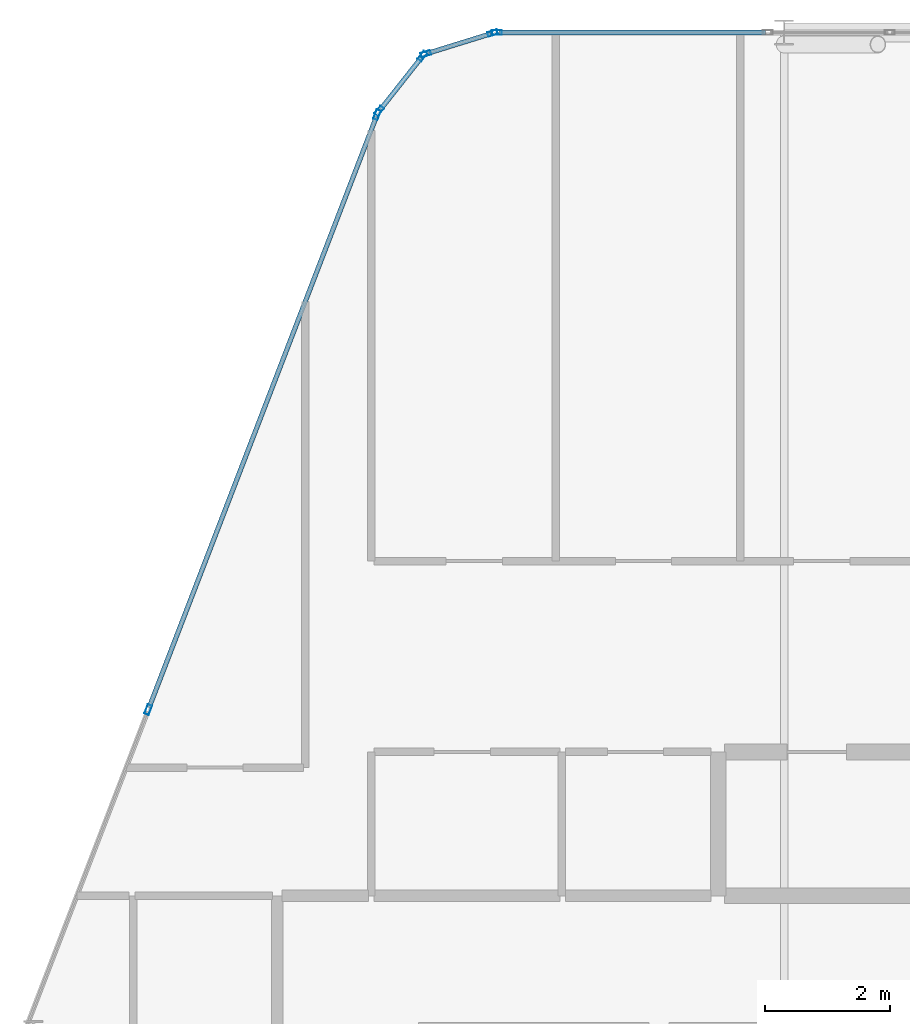
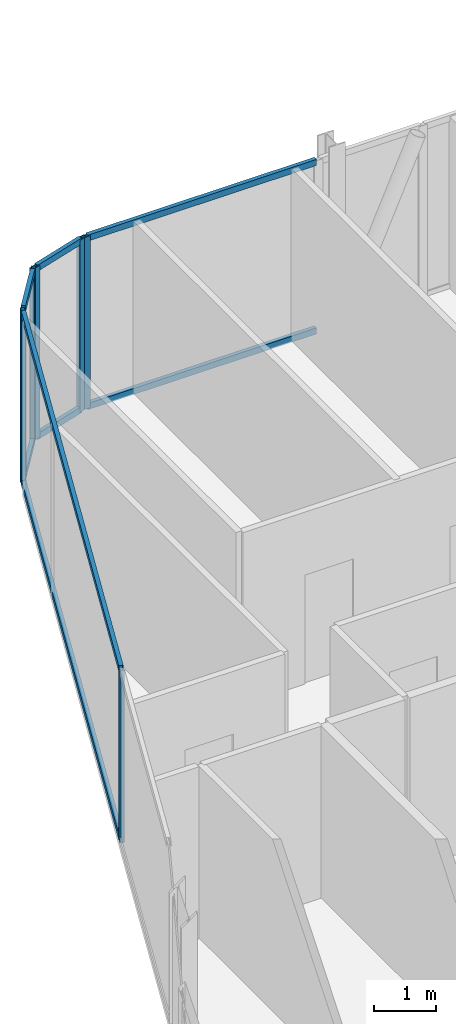
# One storey, part 15 of 27: 15 members, 4 elements without a shape of their own.
"""IFC4 building model written with IfcOpenShell, lengths in metres."""

from ifc_helpers import new_model, si_unit, direction, frame, origin, origin_2d, place, context, subcontext, project, spatial, hollow_rectangle, extrude, material, layer, layer_set, material_profile, profile_set, type_object, element, aggregate, save


model = new_model("IFC4")

# Units and contexts
model_context = context("Model", 3, precision=1e-05, world=origin(), true_north=direction((0.0, 1.0)))
body_context = subcontext(model_context, "Body", "Model", "MODEL_VIEW")
ifc_project = project(units=[si_unit("LENGTHUNIT", "METRE"), si_unit("AREAUNIT", "SQUARE_METRE"), si_unit("VOLUMEUNIT", "CUBIC_METRE"), si_unit("PLANEANGLEUNIT", "RADIAN"), si_unit("MASSUNIT", "GRAM", prefix="KILO")], contexts=[model_context])

# Site, building, storey
site_placement = place(None, origin())
site = spatial("IfcSite", under=ifc_project, at=site_placement, CompositionType="ELEMENT")
building_placement = place(site_placement, origin())
building = spatial("IfcBuilding", under=site, at=building_placement, Name="Keshet Zoharim Tower", CompositionType="ELEMENT")
storey_placement = place(building_placement, frame((0.0, 0.0, 269.5)))
storey = spatial("IfcBuildingStorey", under=building, at=storey_placement, Name="L67", CompositionType="ELEMENT", Elevation=269.5)

# Curtain wall, members
ifc_material = material(Name="Aluminium 6063-T6", Category="aluminium")
ifc_layer = layer(ifc_material, 0.260009765625)
ifc_layer_set = layer_set([ifc_layer], Name="Aluminium 6063-T6")
curtain_wall_type = type_object("IfcCurtainWallType", Name="CW-SYS-06", PredefinedType="NOTDEFINED", material=ifc_layer_set)
curtain_wall_1_placement = place(storey_placement, origin())
curtain_wall_1 = element("IfcCurtainWall", 1, at=curtain_wall_1_placement, inside=storey, type_object=curtain_wall_type, Name="L67 Unitised Curtain Wall 03", PredefinedType="NOTDEFINED")
ifc_material_profile_1 = material_profile(ifc_material, hollow_rectangle(XDim=0.074951171875, YDim=0.159912109375, WallThickness=0.00390625, at=origin_2d()), Name="MUL-75x160")
ifc_profile_set_1 = profile_set([ifc_material_profile_1], Name="Aluminium 6063-T6")
member_type_1 = type_object("IfcMemberType", Name="CWM-M15", PredefinedType="MULLION", material=ifc_profile_set_1)
member_1_placement = place(storey_placement, frame((10.8369140625, 43.076416015625, 0.0), z_axis=(0.0, 0.0, 1.0), x_axis=(-0.933341404361, 0.358990003907, 0.0)))
member_1 = element("IfcMember", 2, at=member_1_placement, type_object=member_type_1, Name="CW-06 mullion 3", PredefinedType="MULLION", context=body_context, shape_type="SweptSolid", body=[
    extrude(hollow_rectangle(XDim=0.074951171875, YDim=0.159912109375, WallThickness=0.00390625, at=origin_2d()), origin(), (0.0, 0.0, 1.0), 3.389892578125),
])
member_2_placement = place(storey_placement, frame((14.494384765625, 52.58544921875, 0.0), z_axis=(0.0, 0.0, 1.0), x_axis=(-0.933341404361, 0.358990003907, 0.0)))
member_2 = element("IfcMember", 3, at=member_2_placement, type_object=member_type_1, Name="CW-06 mullion 4", PredefinedType="MULLION", context=body_context, shape_type="SweptSolid", body=[
    extrude(hollow_rectangle(XDim=0.074951171875, YDim=0.159912109375, WallThickness=0.00390625, at=origin_2d()), origin(), (0.0, 0.0, 1.0), 3.389892578125),
])

curtain_wall_2_placement = place(storey_placement, origin())
curtain_wall_2 = element("IfcCurtainWall", 4, at=curtain_wall_2_placement, inside=storey, type_object=curtain_wall_type, Name="L67 Unitised Curtain Wall 04", PredefinedType="NOTDEFINED")
member_3_placement = place(storey_placement, frame((14.528564453125, 52.6455078125, 0.0), z_axis=(0.0, 0.0, 1.0), x_axis=(-0.785292825205, 0.619124525989, 0.0)))
member_3 = element("IfcMember", 5, at=member_3_placement, type_object=member_type_1, Name="CW-06 mullion 1", PredefinedType="MULLION", context=body_context, shape_type="SweptSolid", body=[
    extrude(hollow_rectangle(XDim=0.074951171875, YDim=0.159912109375, WallThickness=0.00390625, at=origin_2d()), origin(), (0.0, 0.0, 1.0), 3.389892578125),
])
member_4_placement = place(storey_placement, frame((15.21923828125, 53.521484375, 0.0), z_axis=(0.0, 0.0, 1.0), x_axis=(-0.785292825205, 0.619124525989, 0.0)))
member_4 = element("IfcMember", 6, at=member_4_placement, type_object=member_type_1, Name="CW-06 mullion 2", PredefinedType="MULLION", context=body_context, shape_type="SweptSolid", body=[
    extrude(hollow_rectangle(XDim=0.074951171875, YDim=0.159912109375, WallThickness=0.00390625, at=origin_2d()), origin(), (0.0, 0.0, 1.0), 3.389892578125),
])

curtain_wall_3_placement = place(storey_placement, origin())
curtain_wall_3 = element("IfcCurtainWall", 7, at=curtain_wall_3_placement, inside=storey, type_object=curtain_wall_type, Name="L67 Unitised Curtain Wall 05", PredefinedType="NOTDEFINED")
member_5_placement = place(storey_placement, frame((15.2744140625, 53.559326171875, 0.0), z_axis=(0.0, 0.0, 1.0), x_axis=(-0.295921857984, 0.955212151288, 0.0)))
member_5 = element("IfcMember", 8, at=member_5_placement, type_object=member_type_1, Name="CW-06 mullion 1", PredefinedType="MULLION", context=body_context, shape_type="SweptSolid", body=[
    extrude(hollow_rectangle(XDim=0.074951171875, YDim=0.159912109375, WallThickness=0.00390625, at=origin_2d()), origin(), (0.0, 0.0, 1.0), 3.389892578125),
])
member_6_placement = place(storey_placement, frame((16.340576171875, 53.8896484375, 0.0), z_axis=(0.0, 0.0, 1.0), x_axis=(-0.295921857984, 0.955212151288, 0.0)))
member_6 = element("IfcMember", 9, at=member_6_placement, type_object=member_type_1, Name="CW-06 mullion 2", PredefinedType="MULLION", context=body_context, shape_type="SweptSolid", body=[
    extrude(hollow_rectangle(XDim=0.074951171875, YDim=0.159912109375, WallThickness=0.00390625, at=origin_2d()), origin(), (0.0, 0.0, 1.0), 3.389892578125),
])

# Curtain wall, member
curtain_wall_4_placement = place(storey_placement, origin())
curtain_wall_4 = element("IfcCurtainWall", 10, at=curtain_wall_4_placement, inside=storey, type_object=curtain_wall_type, Name="L67 Unitised Curtain Wall 06", PredefinedType="NOTDEFINED")
member_7_placement = place(storey_placement, frame((16.408935546875, 53.89990234375, 0.0), z_axis=(0.0, 0.0, 1.0), x_axis=(0.0, 1.0, 0.0)))
member_7 = element("IfcMember", 11, at=member_7_placement, type_object=member_type_1, Name="CW-06 mullion 1", PredefinedType="MULLION", context=body_context, shape_type="SweptSolid", body=[
    extrude(hollow_rectangle(XDim=0.074951171875, YDim=0.159912109375, WallThickness=0.00390625, at=origin_2d()), origin(), (0.0, 0.0, 1.0), 3.389892578125),
])

# Member
ifc_material_profile_2 = material_profile(ifc_material, hollow_rectangle(XDim=0.074951171875, YDim=0.1201171875, WallThickness=0.00390625, at=origin_2d()), Name="TRN-75x120")
ifc_profile_set_2 = profile_set([ifc_material_profile_2], Name="Aluminium 6063-T6")
member_type_2 = type_object("IfcMemberType", Name="CWT-T12", PredefinedType="USERDEFINED", material=ifc_profile_set_2)
member_8_placement = place(storey_placement, frame((10.849609375, 43.10888671875, 0.034912109375), z_axis=(0.358985546764, 0.933343118694, 0.0), x_axis=(-0.933343118694, 0.358985546764, 0.0)))
member_8 = element("IfcMember", 12, at=member_8_placement, type_object=member_type_2, Name="CW-06 transom 3.1", ObjectType="TRANSOM", PredefinedType="USERDEFINED", context=body_context, shape_type="SweptSolid", body=[
    extrude(hollow_rectangle(XDim=0.074951171875, YDim=0.1201171875, WallThickness=0.00390625, at=origin_2d()), origin(), (0.0, 0.0, 1.0), 10.118408203125),
])

member_9_placement = place(storey_placement, frame((10.849609375, 43.10888671875, 3.35498046875), z_axis=(0.358985546764, 0.933343118694, 0.0), x_axis=(-0.933343118694, 0.358985546764, 0.0)))
member_9 = element("IfcMember", 13, at=member_9_placement, type_object=member_type_2, Name="CW-06 transom 3.2", ObjectType="TRANSOM", PredefinedType="USERDEFINED", context=body_context, shape_type="SweptSolid", body=[
    extrude(hollow_rectangle(XDim=0.074951171875, YDim=0.1201171875, WallThickness=0.00390625, at=origin_2d()), origin(), (0.0, 0.0, 1.0), 10.118408203125),
])

aggregate(curtain_wall_1, [member_1, member_2, member_8, member_9])

member_10_placement = place(storey_placement, frame((14.55029296875, 52.6728515625, 0.034912109375), z_axis=(0.619099165969, 0.78531281837, 0.0), x_axis=(-0.78531281837, 0.619099165969, 0.0)))
member_10 = element("IfcMember", 14, at=member_10_placement, type_object=member_type_2, Name="CW-06 transom 1.1", ObjectType="TRANSOM", PredefinedType="USERDEFINED", context=body_context, shape_type="SweptSolid", body=[
    extrude(hollow_rectangle(XDim=0.074951171875, YDim=0.1201171875, WallThickness=0.00390625, at=origin_2d()), origin(), (0.0, 0.0, 1.0), 1.0458984375),
])

member_11_placement = place(storey_placement, frame((14.55029296875, 52.6728515625, 3.35498046875), z_axis=(0.619099165969, 0.78531281837, 0.0), x_axis=(-0.78531281837, 0.619099165969, 0.0)))
member_11 = element("IfcMember", 15, at=member_11_placement, type_object=member_type_2, Name="CW-06 transom 1.2", ObjectType="TRANSOM", PredefinedType="USERDEFINED", context=body_context, shape_type="SweptSolid", body=[
    extrude(hollow_rectangle(XDim=0.074951171875, YDim=0.1201171875, WallThickness=0.00390625, at=origin_2d()), origin(), (0.0, 0.0, 1.0), 1.0458984375),
])

aggregate(curtain_wall_2, [member_3, member_4, member_10, member_11])

member_12_placement = place(storey_placement, frame((15.307861328125, 53.56982421875, 0.034912109375), z_axis=(0.955212093062, 0.295922045933, 0.0), x_axis=(-0.295922045933, 0.955212093062, 0.0)))
member_12 = element("IfcMember", 16, at=member_12_placement, type_object=member_type_2, Name="CW-06 transom 1.1", ObjectType="TRANSOM", PredefinedType="USERDEFINED", context=body_context, shape_type="SweptSolid", body=[
    extrude(hollow_rectangle(XDim=0.074951171875, YDim=0.1201171875, WallThickness=0.00390625, at=origin_2d()), origin(), (0.0, 0.0, 1.0), 1.046142578125),
])

member_13_placement = place(storey_placement, frame((15.307861328125, 53.56982421875, 3.35498046875), z_axis=(0.955212093062, 0.295922045933, 0.0), x_axis=(-0.295922045933, 0.955212093062, 0.0)))
member_13 = element("IfcMember", 17, at=member_13_placement, type_object=member_type_2, Name="CW-06 transom 1.2", ObjectType="TRANSOM", PredefinedType="USERDEFINED", context=body_context, shape_type="SweptSolid", body=[
    extrude(hollow_rectangle(XDim=0.074951171875, YDim=0.1201171875, WallThickness=0.00390625, at=origin_2d()), origin(), (0.0, 0.0, 1.0), 1.046142578125),
])

aggregate(curtain_wall_3, [member_5, member_6, member_12, member_13])

member_14_placement = place(storey_placement, frame((16.444091796875, 53.89990234375, 0.034912109375), z_axis=(1.0, 0.0, 0.0), x_axis=(0.0, 1.0, 0.0)))
member_14 = element("IfcMember", 18, at=member_14_placement, type_object=member_type_2, Name="CW-06 transom 1.1", ObjectType="TRANSOM", PredefinedType="USERDEFINED", context=body_context, shape_type="SweptSolid", body=[
    extrude(hollow_rectangle(XDim=0.074951171875, YDim=0.1201171875, WallThickness=0.00390625, at=origin_2d()), origin(), (0.0, 0.0, 1.0), 4.260986328125),
])

member_15_placement = place(storey_placement, frame((16.444091796875, 53.89990234375, 3.35498046875), z_axis=(1.0, 0.0, 0.0), x_axis=(0.0, 1.0, 0.0)))
member_15 = element("IfcMember", 19, at=member_15_placement, type_object=member_type_2, Name="CW-06 transom 1.2", ObjectType="TRANSOM", PredefinedType="USERDEFINED", context=body_context, shape_type="SweptSolid", body=[
    extrude(hollow_rectangle(XDim=0.074951171875, YDim=0.1201171875, WallThickness=0.00390625, at=origin_2d()), origin(), (0.0, 0.0, 1.0), 4.260986328125),
])

aggregate(curtain_wall_4, [member_7, member_14, member_15])

save(model, "model.ifc")
